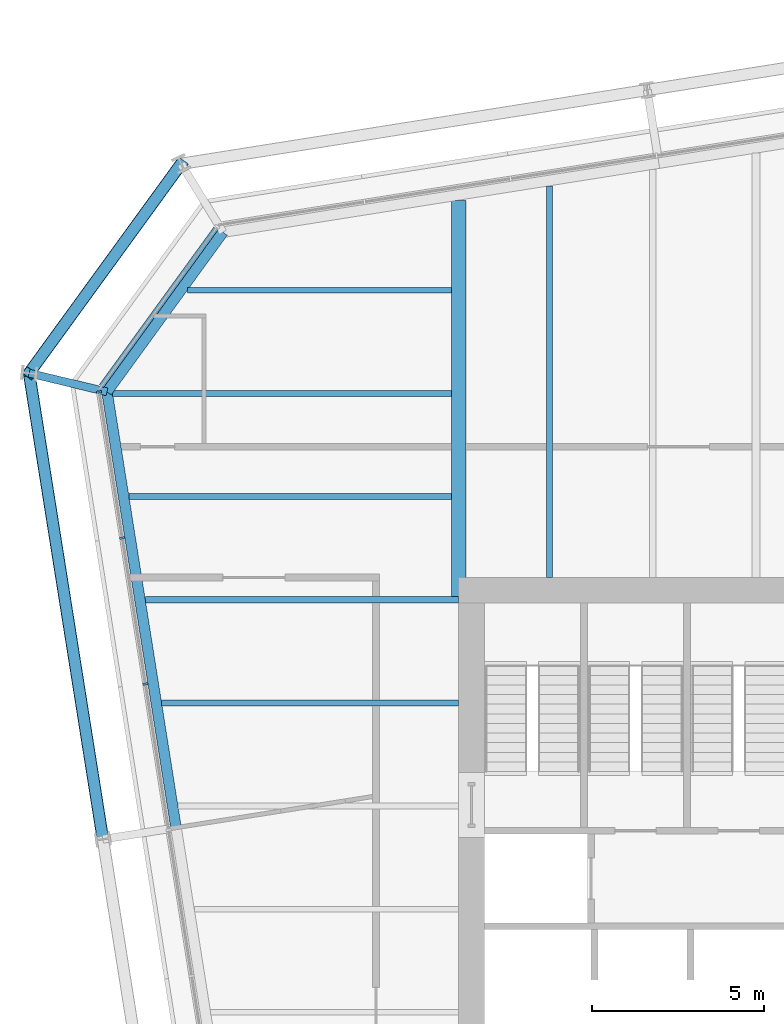
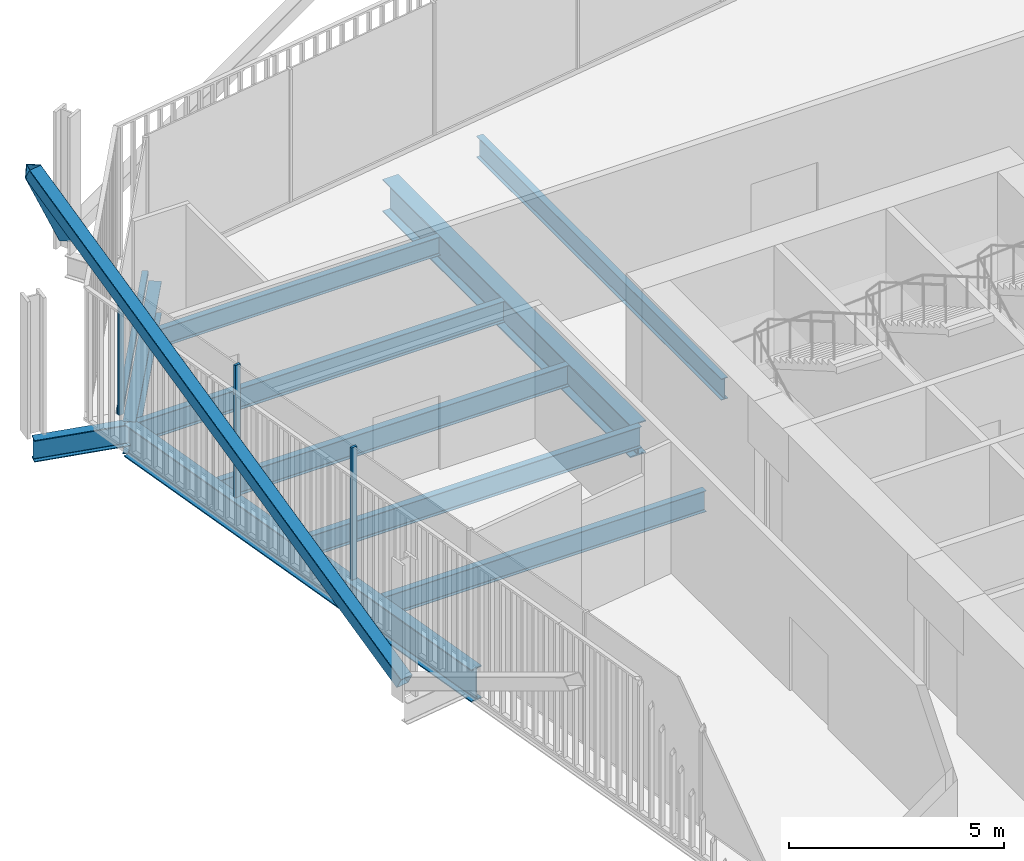
# One storey, part 10 of 22: 10 beams, 6 members, 2 elements without a shape of their own.
"""IFC4 building model written with IfcOpenShell, lengths in metres."""

import ifcopenshell
import ifcopenshell.guid

model = None  # the IFC model being written
_history = None  # IfcOwnerHistory: only IFC2X3 demands one
_inside = {}  # id of a spatial element -> (the spatial element, [elements in it])
_under = {}  # id of a project, library or spatial element -> (it, [spatial elements below it])
_declared = {}  # id of a project -> (the project, [libraries it declares])
_typed = {}  # id of a type object -> (the type object, [elements of that type])
_made_of = {}  # id of a material, layer set ... -> (it, [elements and type objects made of it])


def new_model(schema):
    """Start an empty IFC model of exactly this schema.

    Asked for "IFC4X3", IfcOpenShell would pick the latest addendum, in which some entities
    have other attributes; the version numbers below select the first issue.
    IFC2X3 requires an IfcOwnerHistory on every rooted entity: one is made here for all.
    """
    global model, _history
    if schema == "IFC4X3":
        model = ifcopenshell.file(schema_version=(4, 3, 0, 0))
    else:
        model = ifcopenshell.file(schema=schema)
    _inside.clear()
    _under.clear()
    _declared.clear()
    _typed.clear()
    _made_of.clear()
    _history = None
    if model.schema == "IFC2X3":
        org = make("IfcOrganization", Name="unknown")
        user = make(
            "IfcPersonAndOrganization",
            ThePerson=make("IfcPerson", FamilyName="unknown"),
            TheOrganization=org,
        )
        app = make(
            "IfcApplication",
            ApplicationDeveloper=org,
            Version="unknown",
            ApplicationFullName="unknown",
            ApplicationIdentifier="unknown",
        )
        _history = make(
            "IfcOwnerHistory",
            OwningUser=user,
            OwningApplication=app,
            ChangeAction="ADDED",
            CreationDate=0,
        )
    return model


def make(cls, **values):
    """One entity of the class cls with the attributes given. An attribute that is None is left unset."""
    return model.create_entity(
        cls, **{name: value for name, value in values.items() if value is not None}
    )


def rooted(cls, **values):
    """An entity with a GlobalId (a new one), such as an element, a storey or a relation."""
    return make(cls, GlobalId=ifcopenshell.guid.new(), OwnerHistory=_history, **values)


def si_unit(unit_type, name, prefix=None):
    """IfcSIUnit, for example si_unit("LENGTHUNIT", "METRE", prefix="MILLI")."""
    return make("IfcSIUnit", UnitType=unit_type, Prefix=prefix, Name=name)


def assignment(units):
    """IfcUnitAssignment: the units of a project."""
    return None if units is None else make("IfcUnitAssignment", Units=units)


def point(xyz):
    """IfcCartesianPoint."""
    return None if xyz is None else make("IfcCartesianPoint", Coordinates=xyz)


def direction(xyz):
    """IfcDirection."""
    return None if xyz is None else make("IfcDirection", DirectionRatios=xyz)


def frame(location, z_axis=None, x_axis=None):
    """IfcAxis2Placement3D, a coordinate frame: its origin and axes. An axis left out is left unset."""
    return make(
        "IfcAxis2Placement3D",
        Location=point(location),
        Axis=direction(z_axis),
        RefDirection=direction(x_axis),
    )


def frame_2d(location, x_axis=None):
    """IfcAxis2Placement2D, a coordinate frame in the plane: its origin and x axis."""
    return make(
        "IfcAxis2Placement2D", Location=point(location), RefDirection=direction(x_axis)
    )


def origin():
    """The frame at (0, 0, 0) with its axes left unset."""
    return frame((0.0, 0.0, 0.0))


def origin_2d():
    """The frame at (0, 0) in the plane with its x axis left unset."""
    return frame_2d((0.0, 0.0))


def place(relative_to, where):
    """IfcLocalPlacement: puts the frame where relative to a parent placement (None: the world)."""
    return make(
        "IfcLocalPlacement", PlacementRelTo=relative_to, RelativePlacement=where
    )


def context(
    kind, dimensions, precision=None, world=None, true_north=None, identifier=None
):
    """IfcGeometricRepresentationContext, for example the 3D "Model" context."""
    return make(
        "IfcGeometricRepresentationContext",
        ContextIdentifier=identifier,
        ContextType=kind,
        CoordinateSpaceDimension=dimensions,
        Precision=precision,
        WorldCoordinateSystem=world,
        TrueNorth=true_north,
    )


def subcontext(parent, identifier, kind, view, scale=None):
    """IfcGeometricRepresentationSubContext, for example "Body" below "Model"."""
    return make(
        "IfcGeometricRepresentationSubContext",
        ContextIdentifier=identifier,
        ContextType=kind,
        ParentContext=parent,
        TargetScale=scale,
        TargetView=view,
    )


def project(units=None, contexts=None):
    """IfcProject with its units and contexts."""
    return rooted(
        "IfcProject",
        Name="project",
        RepresentationContexts=contexts,
        UnitsInContext=assignment(units),
    )


def spatial(cls, under=None, at=None, **own):
    """A site, building, storey or space (cls), placed at a placement, below another one or the project."""
    s = rooted(cls, ObjectPlacement=at, **own)
    if under is not None:
        _under.setdefault(under.id(), (under, []))[1].append(s)
    return s


def profile(cls, at=None, kind="AREA", **sizes):
    """A parametric profile (cls). Its sizes go by their IFC names, for example OverallWidth=200.0."""
    return make(cls, ProfileType=kind, Position=at, **sizes)


def rectangle(**sizes):
    """IfcRectangleProfileDef."""
    return profile("IfcRectangleProfileDef", **sizes)


def hollow_rectangle(**sizes):
    """IfcRectangleHollowProfileDef."""
    return profile("IfcRectangleHollowProfileDef", **sizes)


def i_section(**sizes):
    """IfcIShapeProfileDef."""
    return profile("IfcIShapeProfileDef", **sizes)


def extrude(swept, where, along, depth):
    """IfcExtrudedAreaSolid: the profile swept, set in the frame where, extruded along a direction by depth."""
    return make(
        "IfcExtrudedAreaSolid",
        SweptArea=swept,
        Position=where,
        ExtrudedDirection=direction(along),
        Depth=depth,
    )


def shape(context_of_items, identifier, shape_type, items):
    """IfcShapeRepresentation: the items that make up one representation, for example the "Body"."""
    return make(
        "IfcShapeRepresentation",
        ContextOfItems=context_of_items,
        RepresentationIdentifier=identifier,
        RepresentationType=shape_type,
        Items=items,
    )


def material(Name=None, Category=None):
    """IfcMaterial."""
    return make("IfcMaterial", Name=Name, Category=Category)


def layer(
    of_material, thickness, ventilated=None, Name=None, Category=None, Priority=None
):
    """IfcMaterialLayer: one layer of a wall or slab, of a material (None: an air gap)."""
    return make(
        "IfcMaterialLayer",
        Material=of_material,
        LayerThickness=thickness,
        IsVentilated=ventilated,
        Name=Name,
        Category=Category,
        Priority=Priority,
    )


def layer_set(layers, Name=None):
    """IfcMaterialLayerSet."""
    return make("IfcMaterialLayerSet", MaterialLayers=layers, LayerSetName=Name)


def material_profile(
    of_material, cross_section, Name=None, Category=None, Priority=None
):
    """IfcMaterialProfile: a cross section and its material."""
    return make(
        "IfcMaterialProfile",
        Name=Name,
        Material=of_material,
        Profile=cross_section,
        Priority=Priority,
        Category=Category,
    )


def profile_set(profiles, Name=None, composite=None):
    """IfcMaterialProfileSet."""
    return make(
        "IfcMaterialProfileSet",
        Name=Name,
        MaterialProfiles=profiles,
        CompositeProfile=composite,
    )


def made_of(thing, what):
    """Note that an element or type object is made of a material, layer set ...; save() writes the relation."""
    if what is not None:
        _made_of.setdefault(what.id(), (what, []))[1].append(thing)
    return thing


def type_object(cls, material=None, **own):
    """A type object (cls), such as IfcWallType, which elements share."""
    return made_of(rooted(cls, **own), material)


def element(
    cls,
    number,
    at=None,
    inside=None,
    cuts=None,
    type_object=None,
    material=None,
    context=None,
    identifier="Body",
    shape_type=None,
    held_by="IfcProductDefinitionShape",
    body=None,
    shapes=None,
    **own,
):
    """One element of the class cls, such as IfcWall. Its Tag is "e" and its number.

    at: its placement. inside: the storey or other place that contains it. cuts: it is an
    opening in that element (IfcRelVoidsElement). A single representation is given by context,
    identifier, shape_type and body (its items); several are given by shapes. held_by: the class
    of the entity that holds the representations. save() writes the other relations.
    """
    e = rooted(cls, Tag="e%d" % number, ObjectPlacement=at, **own)
    if body is not None:
        shapes = [shape(context, identifier, shape_type, body)]
    if shapes is not None:
        e.Representation = make(held_by, Representations=shapes)
    if inside is not None:
        _inside.setdefault(inside.id(), (inside, []))[1].append(e)
    if cuts is not None:
        rooted(
            "IfcRelVoidsElement", RelatingBuildingElement=cuts, RelatedOpeningElement=e
        )
    if type_object is not None:
        _typed.setdefault(type_object.id(), (type_object, []))[1].append(e)
    return made_of(e, material)


def aggregate(whole, parts):
    """IfcRelAggregates: a whole, such as a stair, and the parts it consists of."""
    return rooted("IfcRelAggregates", RelatingObject=whole, RelatedObjects=parts)


def save(model, path):
    """Write the relations noted so far, then the file.

    IfcRelAggregates (storeys below a building ...), IfcRelContainedInSpatialStructure (elements
    in a storey), IfcRelDefinesByType, IfcRelAssociatesMaterial and IfcRelDeclares: one each for
    every whole, place, type object, material and project.
    """
    for whole, parts in _under.values():
        aggregate(whole, parts)
    for where, things in _inside.values():
        rooted(
            "IfcRelContainedInSpatialStructure",
            RelatedElements=things,
            RelatingStructure=where,
        )
    for kind, things in _typed.values():
        rooted("IfcRelDefinesByType", RelatedObjects=things, RelatingType=kind)
    for what, things in _made_of.values():
        rooted("IfcRelAssociatesMaterial", RelatedObjects=things, RelatingMaterial=what)
    for by, libraries in _declared.values():
        rooted("IfcRelDeclares", RelatingContext=by, RelatedDefinitions=libraries)
    model.write(path)


model = new_model("IFC4")

# Units and contexts
model_context = context("Model", 3, precision=1e-05, world=origin(), true_north=direction((0.0, 1.0)))
body_context = subcontext(model_context, "Body", "Model", "MODEL_VIEW")
ifc_project = project(units=[si_unit("LENGTHUNIT", "METRE"), si_unit("AREAUNIT", "SQUARE_METRE"), si_unit("VOLUMEUNIT", "CUBIC_METRE"), si_unit("PLANEANGLEUNIT", "RADIAN"), si_unit("MASSUNIT", "GRAM", prefix="KILO")], contexts=[model_context])

# Site, building, storey
site_placement = place(None, origin())
site = spatial("IfcSite", under=ifc_project, at=site_placement, CompositionType="ELEMENT")
building_placement = place(site_placement, origin())
building = spatial("IfcBuilding", under=site, at=building_placement, Name="Millrace Tower", CompositionType="ELEMENT")
storey_placement = place(building_placement, frame((0.0, 0.0, 145.10009765625)))
storey = spatial("IfcBuildingStorey", under=building, at=storey_placement, Name="L32", CompositionType="ELEMENT", Elevation=145.10009765625)

# Curtain wall, members
ifc_material_1 = material(Name="Aluminium and glass", Category="aluminium")
ifc_layer = layer(ifc_material_1, 0.14990234375)
ifc_layer_set = layer_set([ifc_layer], Name="Aluminium and glass")
curtain_wall_type = type_object("IfcCurtainWallType", Name="CW-1 office vision curtain wall", PredefinedType="NOTDEFINED", material=ifc_layer_set)
placement = place(storey_placement, origin())
curtain_wall_1 = element("IfcCurtainWall", 1, at=placement, inside=storey, type_object=curtain_wall_type, Name="Curtain wall C-F08 L32", PredefinedType="NOTDEFINED")
ifc_material_2 = material(Name="Aluminium", Category="aluminium")
ifc_material_profile_1 = material_profile(ifc_material_2, rectangle(XDim=0.06494140625, YDim=0.14990234375, at=origin_2d()))
ifc_profile_set_1 = profile_set([ifc_material_profile_1], Name="Aluminium")
member_type_1 = type_object("IfcMemberType", Name="CW-1 office vision curtain wall mullion", PredefinedType="MULLION", material=ifc_profile_set_1)
member_1_placement = place(storey_placement, frame((-25.106689453125, 15.041748046875, 0.139892578125), z_axis=(0.0, 0.0, 1.0), x_axis=(0.15643447328, -0.98768833929, 0.0)))
member_1 = element("IfcMember", 2, at=member_1_placement, type_object=member_type_1, Name="CW1 mullion C-F08.1", PredefinedType="MULLION", context=body_context, shape_type="SweptSolid", body=[
    extrude(rectangle(XDim=0.06494140625, YDim=0.14990234375, at=origin_2d()), origin(), (0.0, 0.0, 1.0), 3.760009765625),
])
member_2_placement = place(storey_placement, frame((-24.43408203125, 10.794677734375, 0.139892578125), z_axis=(0.0, 0.0, 1.0), x_axis=(0.15643447328, -0.98768833929, 0.0)))
member_2 = element("IfcMember", 3, at=member_2_placement, type_object=member_type_1, Name="CW1 mullion C-F08.2", PredefinedType="MULLION", context=body_context, shape_type="SweptSolid", body=[
    extrude(rectangle(XDim=0.06494140625, YDim=0.14990234375, at=origin_2d()), origin(), (0.0, 0.0, 1.0), 3.760009765625),
])
member_3_placement = place(storey_placement, frame((-23.76123046875, 6.547607421875, 0.139892578125), z_axis=(0.0, 0.0, 1.0), x_axis=(0.15643447328, -0.98768833929, 0.0)))
member_3 = element("IfcMember", 4, at=member_3_placement, type_object=member_type_1, Name="CW1 mullion C-F08.3", PredefinedType="MULLION", context=body_context, shape_type="SweptSolid", body=[
    extrude(rectangle(XDim=0.06494140625, YDim=0.14990234375, at=origin_2d()), origin(), (0.0, 0.0, 1.0), 3.760009765625),
])
aggregate(curtain_wall_1, [member_1, member_2, member_3])

# Curtain wall, member
curtain_wall_2 = element("IfcCurtainWall", 5, at=placement, inside=storey, type_object=curtain_wall_type, Name="Curtain wall C-F07 L32", PredefinedType="NOTDEFINED")
ifc_material_3 = material(Name="Aluminium", Category="aluminium")
ifc_material_profile_2 = material_profile(ifc_material_3, rectangle(XDim=0.14990234375, YDim=0.139892578125, at=origin_2d()))
ifc_profile_set_2 = profile_set([ifc_material_profile_2], Name="Aluminium")
member_type_2 = type_object("IfcMemberType", Name="CW-1 office vision curtain wall transom", PredefinedType="USERDEFINED", material=ifc_profile_set_2)
member_4_placement = place(storey_placement, frame((-21.70751953125, 19.796875, 0.06982421875), z_axis=(-0.587761915215, -0.80903394924, 0.0), x_axis=(0.80903394924, -0.587761915215, 0.0)))
member_4 = element("IfcMember", 6, at=member_4_placement, type_object=member_type_2, Name="CW1 transom C-F07.1", ObjectType="TRANSOM", PredefinedType="USERDEFINED", context=body_context, shape_type="SweptSolid", body=[
    extrude(rectangle(XDim=0.14990234375, YDim=0.139892578125, at=origin_2d()), origin(), (0.0, 0.0, 1.0), 5.6689453125),
])
aggregate(curtain_wall_2, [member_4])

# Members
ifc_material_4 = material(Name="Steel ASTM A500 Grade C", Category="steel")
ifc_material_profile_3 = material_profile(ifc_material_4, hollow_rectangle(XDim=0.355712890625, YDim=0.355712890625, WallThickness=0.015869140625, InnerFilletRadius=0.008056640625, OuterFilletRadius=0.02392578125, at=origin_2d()))
ifc_profile_set_3 = profile_set([ifc_material_profile_3], Name="Steel ASTM A500 Grade C")
member_type_3 = type_object("IfcMemberType", Name="Exoskeleton brace HSS14x14x5/8", PredefinedType="BRACE", material=ifc_profile_set_3)
member_5_placement = place(storey_placement, frame((-22.718994140625, 21.679443359375, 0.39990234375), z_axis=(-0.430389097037, -0.592387752691, 0.681059450866), x_axis=(0.809020759968, -0.587780069364, 0.0)))
element("IfcMember", 7, at=member_5_placement, inside=storey, type_object=member_type_3, Name="BRC-C-L32-13", PredefinedType="BRACE", context=body_context, shape_type="SweptSolid", body=[
    extrude(hollow_rectangle(XDim=0.355712890625, YDim=0.355712890625, WallThickness=0.015869140625, InnerFilletRadius=0.008056640625, OuterFilletRadius=0.02392578125, at=origin_2d()), origin(), (0.0, 0.0, 1.0), 10.278076171875),
])
member_6_placement = place(storey_placement, frame((-24.9951171875, 2.031494140625, 0.39990234375), z_axis=(-0.139355372932, 0.879906554943, 0.454251620363), x_axis=(-0.987689751328, -0.156425557764, 0.0)))
element("IfcMember", 8, at=member_6_placement, inside=storey, type_object=member_type_3, Name="BRC-C-L32-14", PredefinedType="BRACE", context=body_context, shape_type="SweptSolid", body=[
    extrude(hollow_rectangle(XDim=0.355712890625, YDim=0.355712890625, WallThickness=0.015869140625, InnerFilletRadius=0.008056640625, OuterFilletRadius=0.02392578125, at=origin_2d()), origin(), (0.0, 0.0, 1.0), 15.409912109375),
])

# Beams
ifc_material_5 = material(Name="Steel ASTM A992 Grade 50", Category="steel")
ifc_material_profile_4 = material_profile(ifc_material_5, i_section(OverallWidth=0.1650390625, OverallDepth=0.52587890625, WebThickness=0.0087890625, FlangeThickness=0.011474609375, FilletRadius=0.0126953125, at=origin_2d()))
ifc_profile_set_4 = profile_set([ifc_material_profile_4], Name="Steel ASTM A992 Grade 50")
beam_type_1 = type_object("IfcBeamType", Name="Floor beam W21x44", PredefinedType="JOIST", material=ifc_profile_set_4)
beam_1_placement = place(storey_placement, frame((-22.540283203125, 18.0, -0.423095703125), z_axis=(1.0, 0.0, 0.0), x_axis=(0.0, 1.0, 0.0)))
element("IfcBeam", 9, at=beam_1_placement, inside=storey, type_object=beam_type_1, Name="BM-C-L32-S1-S035", PredefinedType="JOIST", context=body_context, shape_type="SweptSolid", body=[
    extrude(i_section(OverallWidth=0.1650390625, OverallDepth=0.52587890625, WebThickness=0.0087890625, FlangeThickness=0.011474609375, FilletRadius=0.0126953125, at=origin_2d()), origin(), (0.0, 0.0, 1.0), 7.6806640625),
])
ifc_material_6 = material(Name="Steel ASTM A992 Grade 50", Category="steel")
ifc_material_profile_5 = material_profile(ifc_material_6, i_section(OverallWidth=0.177978515625, OverallDepth=0.599365234375, WebThickness=0.010009765625, FlangeThickness=0.012939453125, FilletRadius=0.012939453125, at=origin_2d()))
ifc_profile_set_5 = profile_set([ifc_material_profile_5], Name="Steel ASTM A992 Grade 50")
beam_type_2 = type_object("IfcBeamType", Name="Floor beam W24x55", PredefinedType="JOIST", material=ifc_profile_set_5)
beam_2_placement = place(storey_placement, frame((-23.28759765625, 6.0, -0.459716796875), z_axis=(1.0, 0.0, 0.0), x_axis=(0.0, 1.0, 0.0)))
element("IfcBeam", 10, at=beam_2_placement, inside=storey, type_object=beam_type_2, Name="BM-C-L32-S1-S026", PredefinedType="JOIST", context=body_context, shape_type="SweptSolid", body=[
    extrude(i_section(OverallWidth=0.177978515625, OverallDepth=0.599365234375, WebThickness=0.010009765625, FlangeThickness=0.012939453125, FilletRadius=0.012939453125, at=origin_2d()), origin(), (0.0, 0.0, 1.0), 8.6376953125),
])
beam_3_placement = place(storey_placement, frame((-23.7626953125, 9.0, -0.459716796875), z_axis=(1.0, 0.0, 0.0), x_axis=(0.0, 1.0, 0.0)))
element("IfcBeam", 11, at=beam_3_placement, inside=storey, type_object=beam_type_2, Name="BM-C-L32-S1-S029", PredefinedType="JOIST", context=body_context, shape_type="SweptSolid", body=[
    extrude(i_section(OverallWidth=0.177978515625, OverallDepth=0.599365234375, WebThickness=0.010009765625, FlangeThickness=0.012939453125, FilletRadius=0.012939453125, at=origin_2d()), origin(), (0.0, 0.0, 1.0), 9.11279296875),
])
beam_4_placement = place(storey_placement, frame((-24.23779296875, 12.0, -0.459716796875), z_axis=(1.0, 0.0, 0.0), x_axis=(0.0, 1.0, 0.0)))
element("IfcBeam", 12, at=beam_4_placement, inside=storey, type_object=beam_type_2, Name="BM-C-L32-S1-S031", PredefinedType="JOIST", context=body_context, shape_type="SweptSolid", body=[
    extrude(i_section(OverallWidth=0.177978515625, OverallDepth=0.599365234375, WebThickness=0.010009765625, FlangeThickness=0.012939453125, FilletRadius=0.012939453125, at=origin_2d()), origin(), (0.0, 0.0, 1.0), 9.378173828125),
])
beam_5_placement = place(storey_placement, frame((-24.712890625, 15.0, -0.459716796875), z_axis=(1.0, 0.0, 0.0), x_axis=(0.0, 1.0, 0.0)))
element("IfcBeam", 13, at=beam_5_placement, inside=storey, type_object=beam_type_2, Name="BM-C-L32-S1-S033", PredefinedType="JOIST", context=body_context, shape_type="SweptSolid", body=[
    extrude(i_section(OverallWidth=0.177978515625, OverallDepth=0.599365234375, WebThickness=0.010009765625, FlangeThickness=0.012939453125, FilletRadius=0.012939453125, at=origin_2d()), origin(), (0.0, 0.0, 1.0), 9.853271484375),
])
ifc_material_7 = material(Name="Steel ASTM A992 Grade 50", Category="steel")
ifc_material_profile_6 = material_profile(ifc_material_7, i_section(OverallWidth=0.1787109375, OverallDepth=0.60205078125, WebThickness=0.010986328125, FlangeThickness=0.014892578125, FilletRadius=0.0126953125, at=origin_2d()))
ifc_profile_set_6 = profile_set([ifc_material_profile_6], Name="Steel ASTM A992 Grade 50")
beam_type_3 = type_object("IfcBeamType", Name="Floor beam W24x62", PredefinedType="JOIST", material=ifc_profile_set_6)
beam_6_placement = place(storey_placement, frame((-12.0, 9.64990234375, -0.461181640625), z_axis=(0.0, 1.0, 0.0), x_axis=(-1.0, 0.0, 0.0)))
element("IfcBeam", 14, at=beam_6_placement, inside=storey, type_object=beam_type_3, Name="BM-C-L32-S1-S039", PredefinedType="JOIST", context=body_context, shape_type="SweptSolid", body=[
    extrude(i_section(OverallWidth=0.1787109375, OverallDepth=0.60205078125, WebThickness=0.010986328125, FlangeThickness=0.014892578125, FilletRadius=0.0126953125, at=origin_2d()), origin(), (0.0, 0.0, 1.0), 11.39111328125),
])
ifc_material_8 = material(Name="Steel ASTM A992 Grade 50", Category="steel")
ifc_material_profile_7 = material_profile(ifc_material_8, i_section(OverallWidth=0.419189453125, OverallDepth=0.927001953125, WebThickness=0.019287109375, FlangeThickness=0.031982421875, FilletRadius=0.024169921875, at=origin_2d()))
ifc_profile_set_7 = profile_set([ifc_material_profile_7], Name="Steel ASTM A992 Grade 50")
beam_type_4 = type_object("IfcBeamType", Name="Girder short span W36x231", PredefinedType="BEAM", material=ifc_profile_set_7)
beam_7_placement = place(storey_placement, frame((-14.64990234375, 9.090087890625, -0.62353515625), z_axis=(0.0, 1.0, 0.0), x_axis=(-1.0, 0.0, 0.0)))
element("IfcBeam", 15, at=beam_7_placement, inside=storey, type_object=beam_type_4, Name="BM-C-L32-S1-G057", PredefinedType="BEAM", context=body_context, shape_type="SweptSolid", body=[
    extrude(i_section(OverallWidth=0.419189453125, OverallDepth=0.927001953125, WebThickness=0.019287109375, FlangeThickness=0.031982421875, FilletRadius=0.024169921875, at=origin_2d()), origin(), (0.0, 0.0, 1.0), 11.523193359375),
])
ifc_material_9 = material(Name="Steel ASTM A992 Grade 50", Category="steel")
ifc_material_profile_8 = material_profile(ifc_material_9, i_section(OverallWidth=0.23046875, OverallDepth=0.6171875, WebThickness=0.01318359375, FlangeThickness=0.022216796875, FilletRadius=0.012939453125, at=origin_2d()))
ifc_profile_set_8 = profile_set([ifc_material_profile_8], Name="Steel ASTM A992 Grade 50")
beam_type_5 = type_object("IfcBeamType", Name="Link beam W24x94", PredefinedType="BEAM", material=ifc_profile_set_8)
beam_8_placement = place(storey_placement, frame((-24.8759765625, 15.046630859375, -0.46875), z_axis=(-0.972367333652, 0.233456138164, 0.0), x_axis=(-0.233456138164, -0.972367333652, 0.0)))
element("IfcBeam", 16, at=beam_8_placement, inside=storey, type_object=beam_type_5, Name="LNK-C-L32-S1-04", PredefinedType="BEAM", context=body_context, shape_type="SweptSolid", body=[
    extrude(i_section(OverallWidth=0.23046875, OverallDepth=0.6171875, WebThickness=0.01318359375, FlangeThickness=0.022216796875, FilletRadius=0.012939453125, at=origin_2d()), origin(), (0.0, 0.0, 1.0), 2.3310546875),
])
ifc_material_10 = material(Name="Steel ASTM A992 Grade 50", Category="steel")
ifc_material_profile_9 = material_profile(ifc_material_10, i_section(OverallWidth=0.307373046875, OverallDepth=0.927001953125, WebThickness=0.01953125, FlangeThickness=0.031982421875, FilletRadius=0.01904296875, at=origin_2d()))
ifc_profile_set_9 = profile_set([ifc_material_profile_9], Name="Steel ASTM A992 Grade 50")
beam_type_6 = type_object("IfcBeamType", Name="Ring beam medium span W36x194", PredefinedType="SPANDREL", material=ifc_profile_set_9)
beam_9_placement = place(storey_placement, frame((-22.867919921875, 2.368408203125, -0.62353515625), z_axis=(-0.156436246498, 0.987688058438, 0.0), x_axis=(-0.987688058438, -0.156436246498, 0.0)))
element("IfcBeam", 17, at=beam_9_placement, inside=storey, type_object=beam_type_6, Name="RNG-C-L32-S1-03", PredefinedType="SPANDREL", context=body_context, shape_type="SweptSolid", body=[
    extrude(i_section(OverallWidth=0.307373046875, OverallDepth=0.927001953125, WebThickness=0.01953125, FlangeThickness=0.031982421875, FilletRadius=0.01904296875, at=origin_2d()), origin(), (0.0, 0.0, 1.0), 12.836181640625),
])
ifc_material_11 = material(Name="Steel ASTM A992 Grade 50", Category="steel")
ifc_material_profile_10 = material_profile(ifc_material_11, i_section(OverallWidth=0.307373046875, OverallDepth=0.927001953125, WebThickness=0.01953125, FlangeThickness=0.031982421875, FilletRadius=0.01904296875, at=origin_2d()))
ifc_profile_set_10 = profile_set([ifc_material_profile_10], Name="Steel ASTM A992 Grade 50")
beam_type_7 = type_object("IfcBeamType", Name="Ring beam short span W36x194", PredefinedType="SPANDREL", material=ifc_profile_set_10)
beam_10_placement = place(storey_placement, frame((-24.8759765625, 15.046630859375, -0.62353515625), z_axis=(0.587787348381, 0.809015471473, 0.0), x_axis=(-0.809015471473, 0.587787348381, 0.0)))
element("IfcBeam", 18, at=beam_10_placement, inside=storey, type_object=beam_type_7, Name="RNG-C-L32-S1-04", PredefinedType="SPANDREL", context=body_context, shape_type="SweptSolid", body=[
    extrude(i_section(OverallWidth=0.307373046875, OverallDepth=0.927001953125, WebThickness=0.01953125, FlangeThickness=0.031982421875, FilletRadius=0.01904296875, at=origin_2d()), origin(), (0.0, 0.0, 1.0), 5.741943359375),
])

save(model, "model.ifc")
